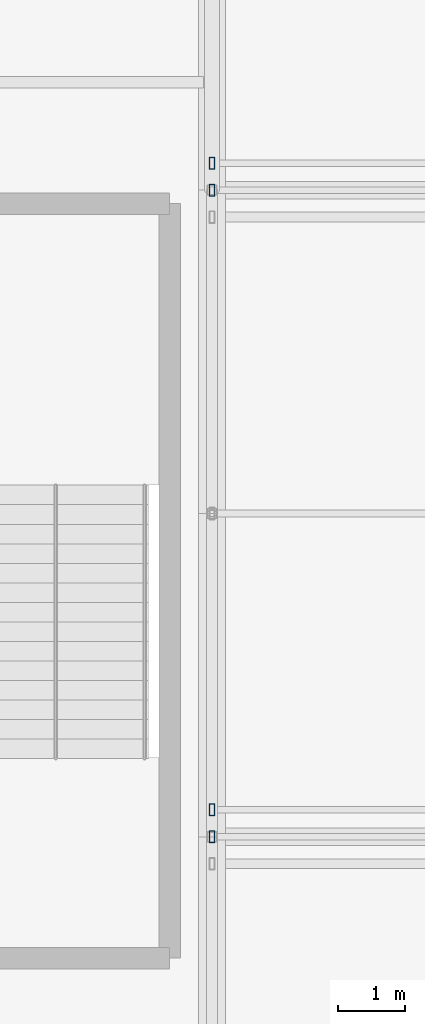
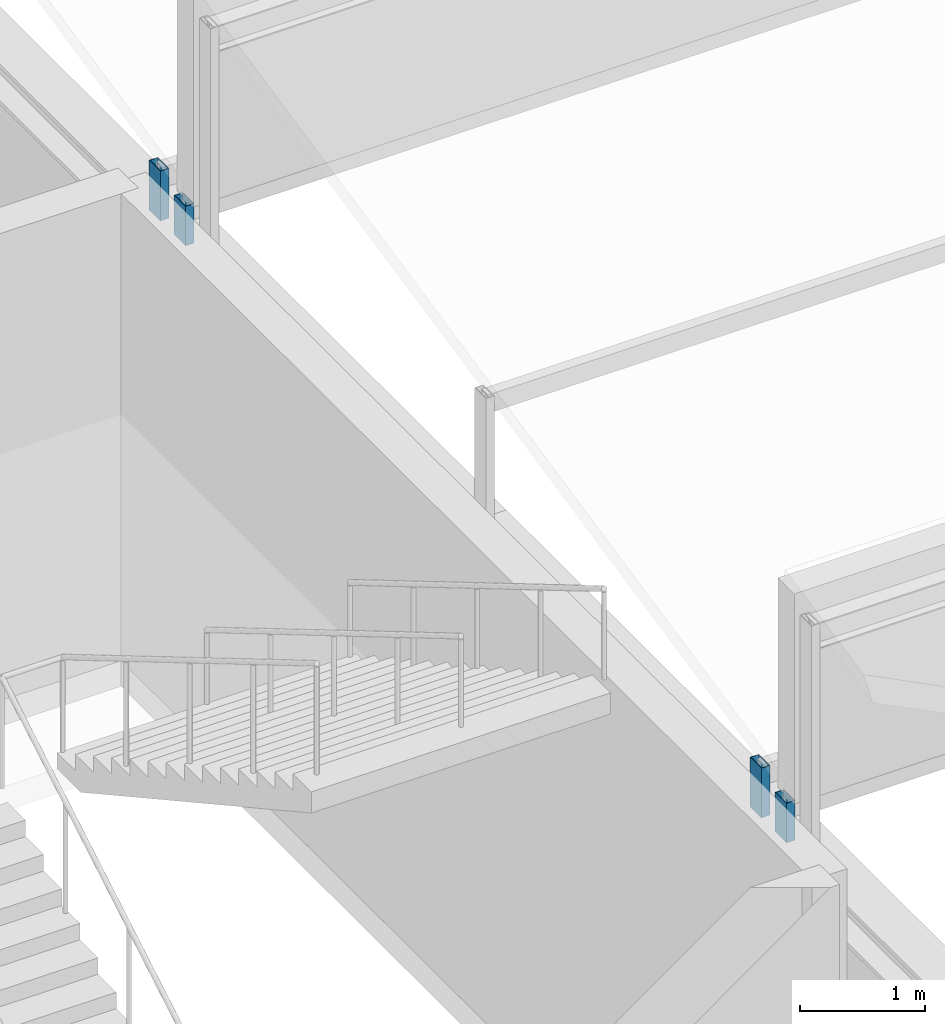
# One storey, part 83 of 136: 4 members.
"""IFC4 building model written with IfcOpenShell, lengths in metres."""

from ifc_helpers import new_model, si_unit, direction, frame, origin, origin_2d, place, context, subcontext, project, spatial, hollow_rectangle, extrude, material, material_profile, profile_set, type_object, element, save


model = new_model("IFC4")

# Units and contexts
model_context = context("Model", 3, precision=1e-05, world=origin(), true_north=direction((0.0, 1.0)))
body_context = subcontext(model_context, "Body", "Model", "MODEL_VIEW")
ifc_project = project(units=[si_unit("LENGTHUNIT", "METRE"), si_unit("AREAUNIT", "SQUARE_METRE"), si_unit("VOLUMEUNIT", "CUBIC_METRE"), si_unit("PLANEANGLEUNIT", "RADIAN"), si_unit("MASSUNIT", "GRAM", prefix="KILO")], contexts=[model_context])

# Site, building, storey
site_placement = place(None, origin())
site = spatial("IfcSite", under=ifc_project, at=site_placement, CompositionType="ELEMENT")
building_placement = place(site_placement, origin())
building = spatial("IfcBuilding", under=site, at=building_placement, Name="Kisiwana Market Hall", CompositionType="ELEMENT")
storey_placement = place(building_placement, frame((0.0, 0.0, 16.800048828125)))
storey = spatial("IfcBuildingStorey", under=building, at=storey_placement, Name="L03", CompositionType="ELEMENT", Elevation=16.800048828125)

# Members
ifc_material = material(Name="Steel S355", Category="steel")
ifc_material_profile = material_profile(ifc_material, hollow_rectangle(XDim=0.080078125, YDim=0.179931640625, WallThickness=0.00634765625, at=origin_2d()), Name="RHS 180x80x6.3")
ifc_profile_set = profile_set([ifc_material_profile], Name="Steel S355")
member_type = type_object("IfcMemberType", Name="MB-CAN-STRUT", PredefinedType="STRUT", material=ifc_profile_set)
member_1_placement = place(storey_placement, frame((45.0, 64.800048828125, 3.619873046875), z_axis=(0.0, 0.0, 1.0), x_axis=(1.0, 0.0, 0.0)))
element("IfcMember", 1, at=member_1_placement, inside=storey, type_object=member_type, Name="Sawtooth raker post 245 M-0274", PredefinedType="STRUT", context=body_context, shape_type="SweptSolid", body=[
    extrude(hollow_rectangle(XDim=0.080078125, YDim=0.179931640625, WallThickness=0.00634765625, at=origin_2d()), origin(), (0.0, 0.0, 1.0), 0.385009765625),
])
member_2_placement = place(storey_placement, frame((45.0, 65.199951171875, 3.619873046875), z_axis=(0.0, 0.0, 1.0), x_axis=(1.0, 0.0, 0.0)))
element("IfcMember", 2, at=member_2_placement, inside=storey, type_object=member_type, Name="Sawtooth raker post 288 M-0296", PredefinedType="STRUT", context=body_context, shape_type="SweptSolid", body=[
    extrude(hollow_rectangle(XDim=0.080078125, YDim=0.179931640625, WallThickness=0.00634765625, at=origin_2d()), origin(), (0.0, 0.0, 1.0), 0.485107421875),
])
member_3_placement = place(storey_placement, frame((45.0, 74.39990234375, 3.619873046875), z_axis=(0.0, 0.0, 1.0), x_axis=(1.0, 0.0, 0.0)))
element("IfcMember", 3, at=member_3_placement, inside=storey, type_object=member_type, Name="Sawtooth raker post 290 M-0298", PredefinedType="STRUT", context=body_context, shape_type="SweptSolid", body=[
    extrude(hollow_rectangle(XDim=0.080078125, YDim=0.179931640625, WallThickness=0.00634765625, at=origin_2d()), origin(), (0.0, 0.0, 1.0), 0.385009765625),
])
member_4_placement = place(storey_placement, frame((45.0, 74.800048828125, 3.619873046875), z_axis=(0.0, 0.0, 1.0), x_axis=(1.0, 0.0, 0.0)))
element("IfcMember", 4, at=member_4_placement, inside=storey, type_object=member_type, Name="Sawtooth raker post 333 M-0320", PredefinedType="STRUT", context=body_context, shape_type="SweptSolid", body=[
    extrude(hollow_rectangle(XDim=0.080078125, YDim=0.179931640625, WallThickness=0.00634765625, at=origin_2d()), origin(), (0.0, 0.0, 1.0), 0.485107421875),
])

save(model, "model.ifc")
